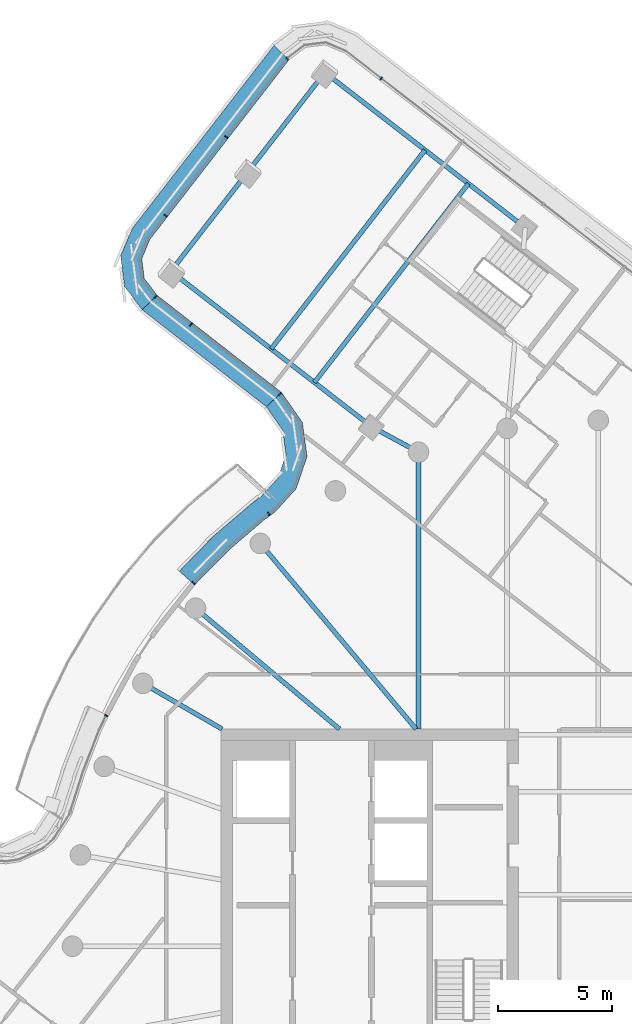
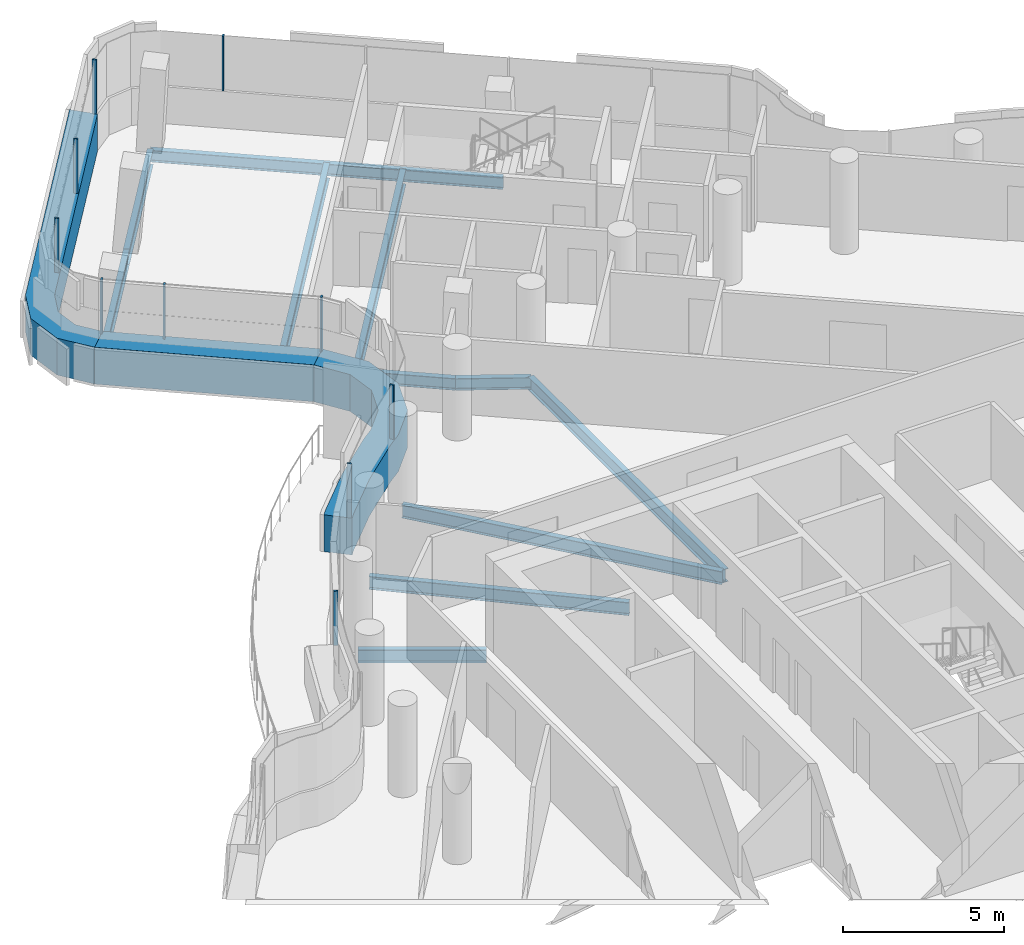
# One storey, part 10 of 26: 13 members, 11 beams, 4 elements without a shape of their own.
"""IFC4 building model written with IfcOpenShell, lengths in metres."""

from ifc_helpers import new_model, si_unit, direction, frame, origin, origin_2d, place, context, subcontext, project, spatial, polyline, rectangle, i_section, outline, extrude, material, layer, layer_set, material_profile, profile_set, type_object, element, aggregate, save


model = new_model("IFC4")

# Units and contexts
model_context = context("Model", 3, precision=1e-05, world=origin(), true_north=direction((0.0, 1.0)))
body_context = subcontext(model_context, "Body", "Model", "MODEL_VIEW")
ifc_project = project(units=[si_unit("LENGTHUNIT", "METRE"), si_unit("AREAUNIT", "SQUARE_METRE"), si_unit("VOLUMEUNIT", "CUBIC_METRE"), si_unit("PLANEANGLEUNIT", "RADIAN"), si_unit("MASSUNIT", "GRAM", prefix="KILO")], contexts=[model_context])

# Site, building, storey
site_placement = place(None, origin())
site = spatial("IfcSite", under=ifc_project, at=site_placement, CompositionType="ELEMENT")
building_placement = place(site_placement, origin())
building = spatial("IfcBuilding", under=site, at=building_placement, Name="Tamarind Cross Interchange Tower", CompositionType="ELEMENT")
storey_placement = place(building_placement, frame((0.0, 0.0, 223.5)))
storey = spatial("IfcBuildingStorey", under=building, at=storey_placement, Name="L56", CompositionType="ELEMENT", Elevation=223.5)

# Beams
ifc_material_1 = material(Name="Steel Q355B", Category="steel")
ifc_material_profile_1 = material_profile(ifc_material_1, i_section(OverallWidth=0.198974609375, OverallDepth=0.446044921875, WebThickness=0.008056640625, FlangeThickness=0.011962890625, FilletRadius=0.012939453125, at=origin_2d()), Name="HN 446x199x8x12")
ifc_profile_set_1 = profile_set([ifc_material_profile_1], Name="Steel Q355B")
beam_type_1 = type_object("IfcBeamType", Name="Composite beam HN 446x199x8x12 Q355B", PredefinedType="BEAM", material=ifc_profile_set_1)
for number, where, z_axis, x_axis, name in (
    (1, (-11.961669921875, 38.221923828125, -0.363037109375), (0.790581033386, -0.612357436185, 0.0), (0.612357436185, 0.790581033386, 0.0), "Beam N-edgeem4"),
    (2, (-18.697509765625, 29.525634765625, -0.363037109375), (0.790581033386, -0.612357436185, 0.0), (0.612357436185, 0.790581033386, 0.0), "Beam N-edgeep2"),
):
    element("IfcBeam", number, at=place(storey_placement, frame(where, z_axis=z_axis, x_axis=x_axis)), inside=storey, type_object=beam_type_1, Name=name, PredefinedType="BEAM", context=body_context, shape_type="SweptSolid", body=[
        extrude(i_section(OverallWidth=0.198974609375, OverallDepth=0.446044921875, WebThickness=0.008056640625, FlangeThickness=0.011962890625, FilletRadius=0.012939453125, at=origin_2d()), origin(), (0.0, 0.0, 1.0), 11.09033203125),
    ])
beam_1_placement = place(storey_placement, frame((-9.9296875, 22.734375, -0.363037109375), z_axis=(0.878621664794, -0.477518554775, 0.0), x_axis=(0.477518554775, 0.878621664794, 0.0)))
element("IfcBeam", 3, at=beam_1_placement, inside=storey, type_object=beam_type_1, Name="Beam N-linkep", PredefinedType="BEAM", context=body_context, shape_type="SweptSolid", body=[
    extrude(i_section(OverallWidth=0.198974609375, OverallDepth=0.446044921875, WebThickness=0.008056640625, FlangeThickness=0.011962890625, FilletRadius=0.012939453125, at=origin_2d()), origin(), (0.0, 0.0, 1.0), 2.34814453125),
])
ifc_material_profile_2 = material_profile(ifc_material_1, i_section(OverallWidth=0.198974609375, OverallDepth=0.49609375, WebThickness=0.009033203125, FlangeThickness=0.013916015625, FilletRadius=0.012939453125, at=origin_2d()), Name="HN 496x199x9x14")
ifc_profile_set_2 = profile_set([ifc_material_profile_2], Name="Steel Q355B")
beam_type_2 = type_object("IfcBeamType", Name="Composite beam HN 496x199x9x14 Q355B", PredefinedType="BEAM", material=ifc_profile_set_2)
beam_2_placement = place(storey_placement, frame((-7.866455078125, 21.613037109375, -0.387939453125), z_axis=(0.0, -1.0, 0.0), x_axis=(1.0, 0.0, 0.0)))
element("IfcBeam", 4, at=beam_2_placement, inside=storey, type_object=beam_type_2, Name="Beam HH11", PredefinedType="BEAM", context=body_context, shape_type="SweptSolid", body=[
    extrude(i_section(OverallWidth=0.198974609375, OverallDepth=0.49609375, WebThickness=0.009033203125, FlangeThickness=0.013916015625, FilletRadius=0.012939453125, at=origin_2d()), origin(), (0.0, 0.0, 1.0), 12.113037109375),
])
beam_3_placement = place(storey_placement, frame((-14.7841796875, 17.619140625, -0.387939453125), z_axis=(0.642786293979, -0.766045547127, 0.0), x_axis=(0.766045547127, 0.642786293979, 0.0)))
element("IfcBeam", 5, at=beam_3_placement, inside=storey, type_object=beam_type_2, Name="Beam HH13", PredefinedType="BEAM", context=body_context, shape_type="SweptSolid", body=[
    extrude(i_section(OverallWidth=0.198974609375, OverallDepth=0.49609375, WebThickness=0.009033203125, FlangeThickness=0.013916015625, FilletRadius=0.012939453125, at=origin_2d()), origin(), (0.0, 0.0, 1.0), 10.598876953125),
])
beam_4_placement = place(storey_placement, frame((-17.619140625, 14.7841796875, -0.387939453125), z_axis=(0.766040580814, -0.642792212574, 0.0), x_axis=(0.642792212574, 0.766040580814, 0.0)))
element("IfcBeam", 6, at=beam_4_placement, inside=storey, type_object=beam_type_2, Name="Beam HH14", PredefinedType="BEAM", context=body_context, shape_type="SweptSolid", body=[
    extrude(i_section(OverallWidth=0.198974609375, OverallDepth=0.49609375, WebThickness=0.009033203125, FlangeThickness=0.013916015625, FilletRadius=0.012939453125, at=origin_2d()), origin(), (0.0, 0.0, 1.0), 8.220703125),
])
beam_5_placement = place(storey_placement, frame((-19.918701171875, 11.5, -0.387939453125), z_axis=(0.866026010844, -0.49999894854, 0.0), x_axis=(0.49999894854, 0.866026010844, 0.0)))
element("IfcBeam", 7, at=beam_5_placement, inside=storey, type_object=beam_type_2, Name="Beam HH15", PredefinedType="BEAM", context=body_context, shape_type="SweptSolid", body=[
    extrude(i_section(OverallWidth=0.198974609375, OverallDepth=0.49609375, WebThickness=0.009033203125, FlangeThickness=0.013916015625, FilletRadius=0.012939453125, at=origin_2d()), origin(), (0.0, 0.0, 1.0), 4.0),
])
ifc_material_profile_3 = material_profile(ifc_material_1, i_section(OverallWidth=0.198974609375, OverallDepth=0.595947265625, WebThickness=0.010009765625, FlangeThickness=0.014892578125, FilletRadius=0.012939453125, at=origin_2d()), Name="HN 596x199x10x15")
ifc_profile_set_3 = profile_set([ifc_material_profile_3], Name="Steel Q355B")
beam_type_3 = type_object("IfcBeamType", Name="Composite beam HN 596x199x10x15 Q355B", PredefinedType="BEAM", material=ifc_profile_set_3)
for number, where, z_axis, x_axis, name in (
    (8, (-11.961669921875, 38.221923828125, -0.43798828125), (-0.612356713855, -0.790581592878, 0.0), (0.790581592878, -0.612356713855, 0.0), "Beam N-tip0"),
    (9, (-15.32958984375, 33.873779296875, -0.43798828125), (-0.612356713855, -0.790581592878, 0.0), (0.790581592878, -0.612356713855, 0.0), "Beam N-tip1"),
):
    element("IfcBeam", number, at=place(storey_placement, frame(where, z_axis=z_axis, x_axis=x_axis)), inside=storey, type_object=beam_type_3, Name=name, PredefinedType="BEAM", context=body_context, shape_type="SweptSolid", body=[
        extrude(i_section(OverallWidth=0.198974609375, OverallDepth=0.595947265625, WebThickness=0.010009765625, FlangeThickness=0.014892578125, FilletRadius=0.012939453125, at=origin_2d()), origin(), (0.0, 0.0, 1.0), 5.5),
    ])
beam_6_placement = place(storey_placement, frame((-5.684326171875, 33.359619140625, -0.43798828125), z_axis=(-0.612356713855, -0.790581592878, 0.0), x_axis=(0.790581592878, -0.612356713855, 0.0)))
element("IfcBeam", 10, at=beam_6_placement, inside=storey, type_object=beam_type_3, Name="Beam N-x334", PredefinedType="BEAM", context=body_context, shape_type="SweptSolid", body=[
    extrude(i_section(OverallWidth=0.198974609375, OverallDepth=0.595947265625, WebThickness=0.010009765625, FlangeThickness=0.014892578125, FilletRadius=0.012939453125, at=origin_2d()), origin(), (0.0, 0.0, 1.0), 10.999755859375),
])
beam_7_placement = place(storey_placement, frame((-7.577880859375, 34.826416015625, -0.43798828125), z_axis=(-0.612345969047, -0.790589915311, 0.0), x_axis=(0.790589915311, -0.612345969047, 0.0)))
element("IfcBeam", 11, at=beam_7_placement, inside=storey, type_object=beam_type_3, Name="Beam N-x358", PredefinedType="BEAM", context=body_context, shape_type="SweptSolid", body=[
    extrude(i_section(OverallWidth=0.198974609375, OverallDepth=0.595947265625, WebThickness=0.010009765625, FlangeThickness=0.014892578125, FilletRadius=0.012939453125, at=origin_2d()), origin(), (0.0, 0.0, 1.0), 11.0),
])

# Curtain wall, member
ifc_material_2 = material(Name="Aluminium 6063-T6", Category="aluminium")
ifc_layer = layer(ifc_material_2, 0.139892578125)
ifc_layer_set = layer_set([ifc_layer], Name="Aluminium 6063-T6")
curtain_wall_type = type_object("IfcCurtainWallType", Name="Hotel curtain wall, 4.5 m bays", PredefinedType="NOTDEFINED", material=ifc_layer_set)
curtain_wall_1_placement = place(storey_placement, origin())
curtain_wall_1 = element("IfcCurtainWall", 12, at=curtain_wall_1_placement, inside=storey, type_object=curtain_wall_type, Name="CWS-L56-04", PredefinedType="NOTDEFINED")
ifc_material_3 = material(Name="Aluminium and insulated spandrel panel", Category="aluminium")
member_type_1 = type_object("IfcMemberType", Name="Floor-edge blade transom", PredefinedType="USERDEFINED", material=ifc_material_3)
member_1_placement = place(storey_placement, origin())
member_1 = element("IfcMember", 13, at=member_1_placement, type_object=member_type_1, Name="CWT-L56-04", ObjectType="TRANSOM", PredefinedType="USERDEFINED", context=body_context, shape_type="SweptSolid", body=[
    extrude(outline(polyline([(-13.541259765625, 38.762939453125), (-19.6162109375, 30.919677734375), (-19.970458984375, 30.075439453125), (-19.8603515625, 29.2080078125), (-19.305908203125, 28.478759765625), (-19.951904296875, 27.841064453125), (-20.72265625, 28.855224609375), (-20.893798828125, 30.201171875), (-20.400390625, 31.376953125), (-14.18017578125, 39.40771484375), (-13.541259765625, 38.762939453125)])), origin(), (0.0, 0.0, 1.0), 1.39990234375),
])

curtain_wall_2_placement = place(storey_placement, origin())
curtain_wall_2 = element("IfcCurtainWall", 14, at=curtain_wall_2_placement, inside=storey, type_object=curtain_wall_type, Name="CWS-L56-05", PredefinedType="NOTDEFINED")
member_2_placement = place(storey_placement, origin())
member_2 = element("IfcMember", 15, at=member_2_placement, type_object=member_type_1, Name="CWT-L56-05", ObjectType="TRANSOM", PredefinedType="USERDEFINED", context=body_context, shape_type="SweptSolid", body=[
    extrude(outline(polyline([(-19.305908203125, 28.478759765625), (-13.857666015625, 24.224609375), (-14.518798828125, 23.598876953125), (-19.951904296875, 27.841064453125), (-19.305908203125, 28.478759765625)])), origin(), (0.0, 0.0, 1.0), 1.39990234375),
])

curtain_wall_3_placement = place(storey_placement, origin())
curtain_wall_3 = element("IfcCurtainWall", 16, at=curtain_wall_3_placement, inside=storey, type_object=curtain_wall_type, Name="CWS-L56-06", PredefinedType="NOTDEFINED")
member_3_placement = place(storey_placement, origin())
member_3 = element("IfcMember", 17, at=member_3_placement, type_object=member_type_1, Name="CWT-L56-06-0", ObjectType="TRANSOM", PredefinedType="USERDEFINED", context=body_context, shape_type="SweptSolid", body=[
    extrude(outline(polyline([(-13.857666015625, 24.224609375), (-12.945068359375, 22.9130859375), (-12.740478515625, 21.42041015625), (-13.224609375, 20.00390625), (-14.13818359375, 19.001708984375), (-14.63330078125, 18.637451171875), (-16.12353515625, 17.3642578125), (-17.50244140625, 15.973388671875), (-17.649658203125, 15.79833984375), (-18.320556640625, 16.398681640625), (-18.167724609375, 16.580810546875), (-16.736572265625, 18.0244140625), (-15.193115234375, 19.343017578125), (-14.743408203125, 19.673828125), (-14.015625, 20.471923828125), (-13.6611328125, 21.509521484375), (-13.807373046875, 22.57666015625), (-14.518798828125, 23.598876953125), (-13.857666015625, 24.224609375)])), origin(), (0.0, 0.0, 1.0), 1.39990234375),
])

curtain_wall_4_placement = place(storey_placement, origin())
curtain_wall_4 = element("IfcCurtainWall", 18, at=curtain_wall_4_placement, inside=storey, type_object=curtain_wall_type, Name="CWS-L56-03", PredefinedType="NOTDEFINED")
ifc_material_profile_4 = material_profile(ifc_material_2, rectangle(XDim=0.06005859375, YDim=0.139892578125, at=origin_2d()), Name="Mullion CW2")
ifc_profile_set_4 = profile_set([ifc_material_profile_4], Name="Aluminium 6063-T6")
member_type_2 = type_object("IfcMemberType", Name="Mullion CW2", PredefinedType="MULLION", material=ifc_profile_set_4)
member_4_placement = place(storey_placement, frame((-9.496826171875, 37.95703125, 1.39990234375), z_axis=(0.0, 0.0, 1.0), x_axis=(-0.790582709629, 0.612355272073, 0.0)))
member_4 = element("IfcMember", 19, at=member_4_placement, type_object=member_type_2, Name="CWM-L56-03-04", PredefinedType="MULLION", context=body_context, shape_type="SweptSolid", body=[
    extrude(rectangle(XDim=0.06005859375, YDim=0.139892578125, at=origin_2d()), origin(), (0.0, 0.0, 1.0), 2.06005859375),
])
aggregate(curtain_wall_4, [member_4])

# Member
member_5_placement = place(storey_placement, frame((-13.612060546875, 38.83447265625, 1.39990234375), z_axis=(0.0, 0.0, 1.0), x_axis=(-0.710308238555, -0.703890763003, 0.0)))
member_5 = element("IfcMember", 20, at=member_5_placement, type_object=member_type_2, Name="CWM-L56-04-00", PredefinedType="MULLION", context=body_context, shape_type="SweptSolid", body=[
    extrude(rectangle(XDim=0.06005859375, YDim=0.139892578125, at=origin_2d()), origin(), (0.0, 0.0, 1.0), 2.06005859375),
])

member_6_placement = place(storey_placement, frame((-16.273193359375, 35.39892578125, 1.39990234375), z_axis=(0.0, 0.0, 1.0), x_axis=(-0.612355272073, -0.790582709629, 0.0)))
member_6 = element("IfcMember", 21, at=member_6_placement, type_object=member_type_2, Name="CWM-L56-04-01", PredefinedType="MULLION", context=body_context, shape_type="SweptSolid", body=[
    extrude(rectangle(XDim=0.06005859375, YDim=0.139892578125, at=origin_2d()), origin(), (0.0, 0.0, 1.0), 2.06005859375),
])

member_7_placement = place(storey_placement, frame((-18.934326171875, 31.96337890625, 1.39990234375), z_axis=(0.0, 0.0, 1.0), x_axis=(-0.612355272073, -0.790582709629, 0.0)))
member_7 = element("IfcMember", 22, at=member_7_placement, type_object=member_type_2, Name="CWM-L56-04-02", PredefinedType="MULLION", context=body_context, shape_type="SweptSolid", body=[
    extrude(rectangle(XDim=0.06005859375, YDim=0.139892578125, at=origin_2d()), origin(), (0.0, 0.0, 1.0), 2.06005859375),
])

aggregate(curtain_wall_1, [member_5, member_6, member_7, member_1])

member_8_placement = place(storey_placement, frame((-19.377685546875, 28.407958984375, 1.39990234375), z_axis=(0.0, 0.0, 1.0), x_axis=(0.702506673579, -0.711677155442, 0.0)))
member_8 = element("IfcMember", 23, at=member_8_placement, type_object=member_type_2, Name="CWM-L56-05-00", PredefinedType="MULLION", context=body_context, shape_type="SweptSolid", body=[
    extrude(rectangle(XDim=0.06005859375, YDim=0.139892578125, at=origin_2d()), origin(), (0.0, 0.0, 1.0), 2.06005859375),
])

member_9_placement = place(storey_placement, frame((-17.82373046875, 27.194580078125, 1.39990234375), z_axis=(0.0, 0.0, 1.0), x_axis=(0.788192580464, -0.615428676698, 0.0)))
member_9 = element("IfcMember", 24, at=member_9_placement, type_object=member_type_2, Name="CWM-L56-05-01", PredefinedType="MULLION", context=body_context, shape_type="SweptSolid", body=[
    extrude(rectangle(XDim=0.06005859375, YDim=0.139892578125, at=origin_2d()), origin(), (0.0, 0.0, 1.0), 2.06005859375),
])

aggregate(curtain_wall_2, [member_8, member_9, member_2])

member_10_placement = place(storey_placement, frame((-13.93115234375, 24.1552734375, 1.39990234375), z_axis=(0.0, 0.0, 1.0), x_axis=(0.68740768182, -0.72627176661, 0.0)))
member_10 = element("IfcMember", 25, at=member_10_placement, type_object=member_type_2, Name="CWM-L56-06-00", PredefinedType="MULLION", context=body_context, shape_type="SweptSolid", body=[
    extrude(rectangle(XDim=0.06005859375, YDim=0.139892578125, at=origin_2d()), origin(), (0.0, 0.0, 1.0), 2.06005859375),
])

member_11_placement = place(storey_placement, frame((-14.419189453125, 18.919189453125, 1.39990234375), z_axis=(0.0, 0.0, 1.0), x_axis=(-0.805443545334, -0.59267250255, 0.0)))
member_11 = element("IfcMember", 26, at=member_11_placement, type_object=member_type_2, Name="CWM-L56-06-01", PredefinedType="MULLION", context=body_context, shape_type="SweptSolid", body=[
    extrude(rectangle(XDim=0.06005859375, YDim=0.139892578125, at=origin_2d()), origin(), (0.0, 0.0, 1.0), 2.06005859375),
])

member_12_placement = place(storey_placement, frame((-17.705078125, 15.8876953125, 1.39990234375), z_axis=(0.0, 0.0, 1.0), x_axis=(-0.643009266048, -0.765858396687, 0.0)))
member_12 = element("IfcMember", 27, at=member_12_placement, type_object=member_type_2, Name="CWM-L56-06-02", PredefinedType="MULLION", context=body_context, shape_type="SweptSolid", body=[
    extrude(rectangle(XDim=0.06005859375, YDim=0.139892578125, at=origin_2d()), origin(), (0.0, 0.0, 1.0), 2.06005859375),
])

member_13_placement = place(storey_placement, frame((-21.526611328125, 10.097412109375, 1.39990234375), z_axis=(0.0, 0.0, 1.0), x_axis=(-0.435326231914, -0.900272776334, 0.0)))
member_13 = element("IfcMember", 28, at=member_13_placement, type_object=member_type_2, Name="CWM-L56-06-03", PredefinedType="MULLION", context=body_context, shape_type="SweptSolid", body=[
    extrude(rectangle(XDim=0.06005859375, YDim=0.139892578125, at=origin_2d()), origin(), (0.0, 0.0, 1.0), 2.06005859375),
])

aggregate(curtain_wall_3, [member_10, member_11, member_12, member_13, member_3])

save(model, "model.ifc")
